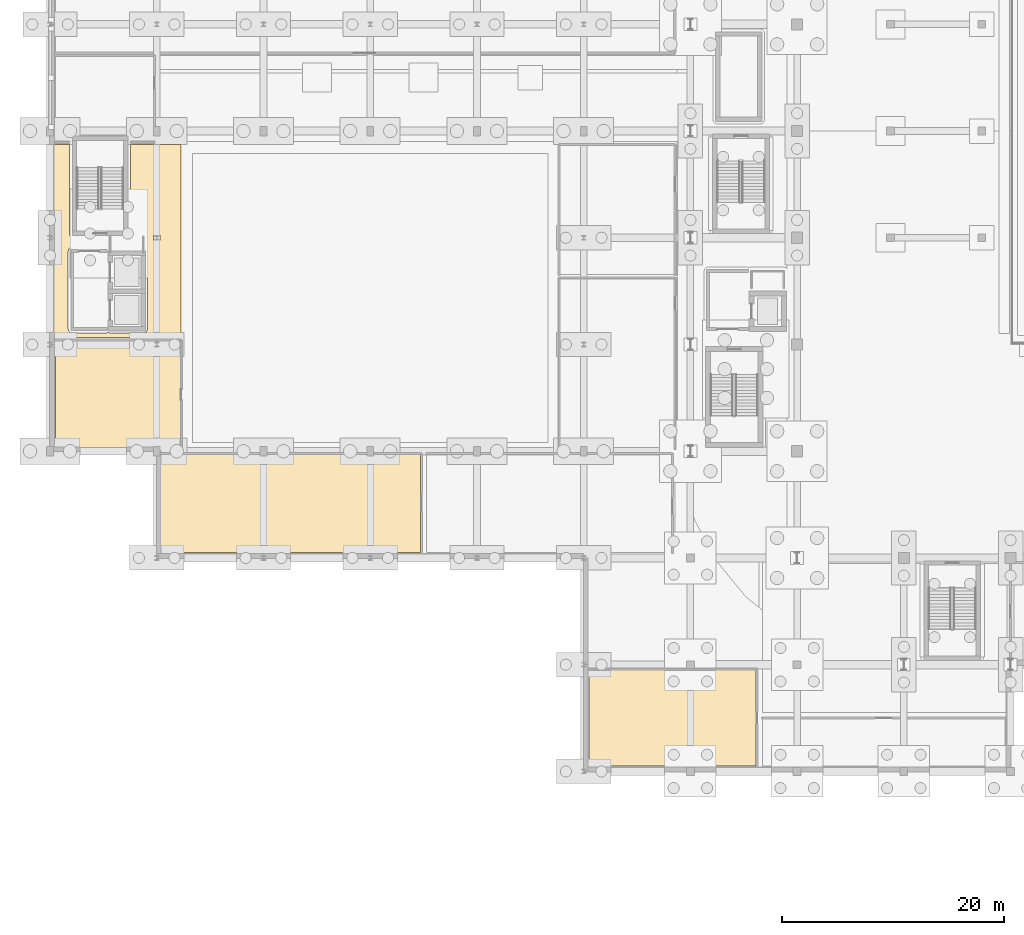
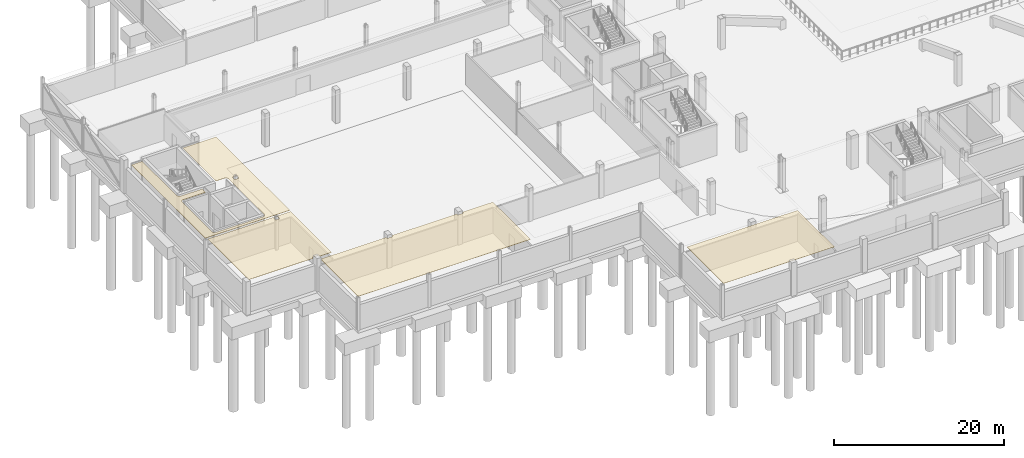
# One storey, part 39 of 67: 4 coverings.
"""IFC4 building model written with IfcOpenShell, lengths in metres."""

from ifc_helpers import new_model, si_unit, direction, frame, origin, place, context, subcontext, project, spatial, polyline, outline, extrude, material, layer, layer_set, type_object, element, save


model = new_model("IFC4")

# Units and contexts
model_context = context("Model", 3, precision=1e-05, world=origin(), true_north=direction((0.0, 1.0)))
body_context = subcontext(model_context, "Body", "Model", "MODEL_VIEW")
ifc_project = project(units=[si_unit("LENGTHUNIT", "METRE"), si_unit("AREAUNIT", "SQUARE_METRE"), si_unit("VOLUMEUNIT", "CUBIC_METRE"), si_unit("PLANEANGLEUNIT", "RADIAN"), si_unit("MASSUNIT", "GRAM", prefix="KILO")], contexts=[model_context])

# Site, building, storey
site_placement = place(None, origin())
site = spatial("IfcSite", under=ifc_project, at=site_placement, CompositionType="ELEMENT")
building_placement = place(site_placement, origin())
building = spatial("IfcBuilding", under=site, at=building_placement, Name="Caelomonte Colonnade Arena", CompositionType="ELEMENT")
storey_placement = place(building_placement, frame((0.0, 0.0, -4.800048828125)))
storey = spatial("IfcBuildingStorey", under=building, at=storey_placement, Name="B1", CompositionType="ELEMENT", Elevation=-4.800048828125)

# Coverings
ifc_material = material(Name="Perforated acoustic mineral-fibre ceiling")
ifc_layer = layer(ifc_material, 0.0400390625)
ifc_layer_set = layer_set([ifc_layer], Name="Perforated acoustic mineral-fibre ceiling")
covering_type = type_object("IfcCoveringType", Name="INT-CV-CEIL1", PredefinedType="CEILING", material=ifc_layer_set)
covering_1_placement = place(storey_placement, frame((0.0, 0.0, 4.420166015625)))
element("IfcCovering", 1, at=covering_1_placement, inside=storey, type_object=covering_type, Name="B1 Staff Restroom acoustic ceiling", PredefinedType="CEILING", context=body_context, shape_type="SweptSolid", body=[
    extrude(outline(polyline([(63.52001953125, 18.719970703125), (48.47998046875, 18.719970703125), (48.47998046875, 10.080078125), (63.52001953125, 10.080078125), (63.52001953125, 18.719970703125)])), origin(), (0.0, 0.0, 1.0), 0.039794921875),
])
covering_2_placement = place(storey_placement, frame((0.0, 0.0, 4.420166015625)))
element("IfcCovering", 2, at=covering_2_placement, inside=storey, type_object=covering_type, Name="B1 Home Locker Room acoustic ceiling", PredefinedType="CEILING", context=body_context, shape_type="SweptSolid", body=[
    extrude(outline(polyline([(9.9228515625, 37.88037109375), (9.9150390625, 37.8798828125), (9.89990234375, 37.8798828125), (9.89990234375, 29.280029296875), (33.320068359375, 29.280029296875), (33.320068359375, 38.1201171875), (29.195068359375, 38.1201171875), (29.195068359375, 37.9599609375), (29.194580078125, 37.9521484375), (29.193603515625, 37.9443359375), (29.191650390625, 37.936767578125), (29.18896484375, 37.929443359375), (29.185546875, 37.92236328125), (29.181396484375, 37.91552734375), (29.1767578125, 37.9091796875), (29.171630859375, 37.9033203125), (29.165771484375, 37.898193359375), (29.159423828125, 37.8935546875), (29.152587890625, 37.889404296875), (29.1455078125, 37.885986328125), (29.13818359375, 37.88330078125), (29.130615234375, 37.881591796875), (29.122802734375, 37.88037109375), (29.114990234375, 37.8798828125), (28.485107421875, 37.8798828125), (28.477294921875, 37.88037109375), (28.469482421875, 37.881591796875), (28.4619140625, 37.88330078125), (28.454345703125, 37.885986328125), (28.447265625, 37.889404296875), (28.440673828125, 37.8935546875), (28.43408203125, 37.898193359375), (28.428466796875, 37.9033203125), (28.423095703125, 37.9091796875), (28.41845703125, 37.91552734375), (28.414306640625, 37.92236328125), (28.4111328125, 37.929443359375), (28.408447265625, 37.936767578125), (28.406494140625, 37.9443359375), (28.405517578125, 37.9521484375), (28.405029296875, 37.9599609375), (28.405029296875, 38.1201171875), (19.594970703125, 38.1201171875), (19.594970703125, 37.9599609375), (19.594482421875, 37.9521484375), (19.593505859375, 37.9443359375), (19.591552734375, 37.936767578125), (19.5888671875, 37.929443359375), (19.585693359375, 37.92236328125), (19.58154296875, 37.91552734375), (19.576904296875, 37.9091796875), (19.571533203125, 37.9033203125), (19.56591796875, 37.898193359375), (19.559326171875, 37.8935546875), (19.552734375, 37.889404296875), (19.545654296875, 37.885986328125), (19.5380859375, 37.88330078125), (19.530517578125, 37.881591796875), (19.522705078125, 37.88037109375), (19.514892578125, 37.8798828125), (18.885009765625, 37.8798828125), (18.877197265625, 37.88037109375), (18.869384765625, 37.881591796875), (18.86181640625, 37.88330078125), (18.8544921875, 37.885986328125), (18.847412109375, 37.889404296875), (18.840576171875, 37.8935546875), (18.834228515625, 37.898193359375), (18.828369140625, 37.9033203125), (18.8232421875, 37.9091796875), (18.818603515625, 37.91552734375), (18.814453125, 37.92236328125), (18.81103515625, 37.929443359375), (18.808349609375, 37.936767578125), (18.806396484375, 37.9443359375), (18.805419921875, 37.9521484375), (18.804931640625, 37.9599609375), (18.804931640625, 38.1201171875), (9.9951171875, 38.1201171875), (9.9951171875, 37.9599609375), (9.99462890625, 37.9521484375), (9.993408203125, 37.9443359375), (9.99169921875, 37.936767578125), (9.989013671875, 37.929443359375), (9.985595703125, 37.92236328125), (9.9814453125, 37.91552734375), (9.976806640625, 37.9091796875), (9.9716796875, 37.9033203125), (9.9658203125, 37.898193359375), (9.95947265625, 37.8935546875), (9.95263671875, 37.889404296875), (9.945556640625, 37.885986328125), (9.938232421875, 37.88330078125), (9.9306640625, 37.881591796875), (9.9228515625, 37.88037109375)])), origin(), (0.0, 0.0, 1.0), 0.039794921875),
])
covering_3_placement = place(storey_placement, frame((0.0, 0.0, 4.420166015625)))
element("IfcCovering", 3, at=covering_3_placement, inside=storey, type_object=covering_type, Name="B1 Athlete Shower and Restroom acoustic ceiling", PredefinedType="CEILING", context=body_context, shape_type="SweptSolid", body=[
    extrude(outline(polyline([(9.277099609375, 38.919677734375), (9.284912109375, 38.919921875), (9.9150390625, 38.919921875), (9.9228515625, 38.919677734375), (9.9306640625, 38.91845703125), (9.938232421875, 38.91650390625), (9.945556640625, 38.913818359375), (9.95263671875, 38.91064453125), (9.95947265625, 38.906494140625), (9.9658203125, 38.90185546875), (9.9716796875, 38.896484375), (9.976806640625, 38.890869140625), (9.9814453125, 38.884521484375), (9.985595703125, 38.877685546875), (9.989013671875, 38.87060546875), (9.99169921875, 38.86328125), (9.993408203125, 38.855712890625), (9.99462890625, 38.847900390625), (9.9951171875, 38.840087890625), (9.9951171875, 38.679931640625), (11.719970703125, 38.679931640625), (11.719970703125, 48.320068359375), (0.47998046875, 48.320068359375), (0.47998046875, 38.699951171875), (9.205078125, 38.699951171875), (9.205078125, 38.840087890625), (9.205322265625, 38.847900390625), (9.20654296875, 38.855712890625), (9.20849609375, 38.86328125), (9.211181640625, 38.87060546875), (9.21435546875, 38.877685546875), (9.218505859375, 38.884521484375), (9.22314453125, 38.890869140625), (9.228515625, 38.896484375), (9.234130859375, 38.90185546875), (9.240478515625, 38.906494140625), (9.247314453125, 38.91064453125), (9.25439453125, 38.913818359375), (9.26171875, 38.91650390625), (9.269287109375, 38.91845703125), (9.277099609375, 38.919677734375)]), holes=[polyline([(9.809814453125, 47.71923828125), (9.802001953125, 47.71875), (9.39794921875, 47.71875), (9.39013671875, 47.71923828125), (9.38232421875, 47.72021484375), (9.374755859375, 47.72216796875), (9.367431640625, 47.724853515625), (9.3603515625, 47.728271484375), (9.353515625, 47.732421875), (9.34716796875, 47.737060546875), (9.34130859375, 47.7421875), (9.336181640625, 47.748046875), (9.33154296875, 47.75439453125), (9.327392578125, 47.760986328125), (9.32421875, 47.768310546875), (9.3212890625, 47.775634765625), (9.319580078125, 47.783203125), (9.318359375, 47.791015625), (9.318115234375, 47.798828125), (9.318115234375, 48.201171875), (9.318359375, 48.208984375), (9.319580078125, 48.216796875), (9.3212890625, 48.224365234375), (9.32421875, 48.231689453125), (9.327392578125, 48.239013671875), (9.33154296875, 48.24560546875), (9.336181640625, 48.251953125), (9.34130859375, 48.2578125), (9.34716796875, 48.262939453125), (9.353515625, 48.267578125), (9.3603515625, 48.271728515625), (9.367431640625, 48.275146484375), (9.374755859375, 48.27783203125), (9.38232421875, 48.27978515625), (9.39013671875, 48.28076171875), (9.39794921875, 48.28125), (9.802001953125, 48.28125), (9.809814453125, 48.28076171875), (9.817626953125, 48.27978515625), (9.8251953125, 48.27783203125), (9.83251953125, 48.275146484375), (9.839599609375, 48.271728515625), (9.846435546875, 48.267578125), (9.852783203125, 48.262939453125), (9.858642578125, 48.2578125), (9.86376953125, 48.251953125), (9.868408203125, 48.24560546875), (9.87255859375, 48.239013671875), (9.8759765625, 48.231689453125), (9.878662109375, 48.224365234375), (9.880615234375, 48.216796875), (9.881591796875, 48.208984375), (9.882080078125, 48.201171875), (9.882080078125, 47.798828125), (9.881591796875, 47.791015625), (9.880615234375, 47.783203125), (9.878662109375, 47.775634765625), (9.8759765625, 47.768310546875), (9.87255859375, 47.760986328125), (9.868408203125, 47.75439453125), (9.86376953125, 47.748046875), (9.858642578125, 47.7421875), (9.852783203125, 47.737060546875), (9.846435546875, 47.732421875), (9.839599609375, 47.728271484375), (9.83251953125, 47.724853515625), (9.8251953125, 47.72216796875), (9.817626953125, 47.72021484375), (9.809814453125, 47.71923828125)])]), origin(), (0.0, 0.0, 1.0), 0.039794921875),
])
covering_4_placement = place(storey_placement, frame((0.0, 0.0, 4.420166015625)))
element("IfcCovering", 4, at=covering_4_placement, inside=storey, type_object=covering_type, Name="B1 B1 Concourse Gallery acoustic ceiling", PredefinedType="CEILING", context=body_context, shape_type="SweptSolid", body=[
    extrude(outline(polyline([(0.300048828125, 66.004150390625), (0.300048828125, 48.595947265625), (0.30078125, 48.59619140625), (0.311279296875, 48.601318359375), (0.31494140625, 48.602783203125), (0.316650390625, 48.603515625), (0.3203125, 48.60498046875), (0.33154296875, 48.60888671875), (0.335205078125, 48.610107421875), (0.337158203125, 48.61083984375), (0.3408203125, 48.61181640625), (0.352294921875, 48.61474609375), (0.356201171875, 48.615478515625), (0.35791015625, 48.615966796875), (0.36181640625, 48.61669921875), (0.37353515625, 48.618408203125), (0.37744140625, 48.618896484375), (0.37939453125, 48.618896484375), (0.38330078125, 48.619384765625), (0.39501953125, 48.619873046875), (0.397216796875, 48.6201171875), (0.39794921875, 48.6201171875), (0.39990234375, 48.6201171875), (11.780029296875, 48.6201171875), (11.780029296875, 65.97998046875), (9.60009765625, 65.97998046875), (9.597900390625, 65.97998046875), (9.59716796875, 65.97998046875), (9.59521484375, 65.97998046875), (9.583251953125, 65.980712890625), (9.579345703125, 65.98095703125), (9.577392578125, 65.981201171875), (9.573486328125, 65.981689453125), (9.56201171875, 65.9833984375), (9.55810546875, 65.984130859375), (9.55615234375, 65.984375), (9.55224609375, 65.9853515625), (9.541015625, 65.98828125), (9.537109375, 65.9892578125), (9.53515625, 65.98974609375), (9.531494140625, 65.990966796875), (9.5205078125, 65.9951171875), (9.5166015625, 65.996337890625), (9.514892578125, 65.9970703125), (9.51123046875, 65.998779296875), (9.500732421875, 66.00390625), (9.5, 66.004150390625), (9.499267578125, 66.00390625), (9.48876953125, 65.998779296875), (9.485107421875, 65.9970703125), (9.4833984375, 65.996337890625), (9.4794921875, 65.9951171875), (9.468505859375, 65.990966796875), (9.46484375, 65.98974609375), (9.462890625, 65.9892578125), (9.458984375, 65.98828125), (9.44775390625, 65.9853515625), (9.44384765625, 65.984375), (9.44189453125, 65.984130859375), (9.43798828125, 65.9833984375), (9.426513671875, 65.981689453125), (9.422607421875, 65.981201171875), (9.420654296875, 65.98095703125), (9.416748046875, 65.980712890625), (9.40478515625, 65.97998046875), (9.40283203125, 65.97998046875), (9.402099609375, 65.97998046875), (9.39990234375, 65.97998046875), (7.25, 65.97998046875), (7.25, 58.159912109375), (8.39990234375, 58.159912109375), (8.40380859375, 58.159912109375), (8.431396484375, 58.15869140625), (8.439208984375, 58.15771484375), (8.46630859375, 58.15380859375), (8.47412109375, 58.152099609375), (8.500732421875, 58.1455078125), (8.50830078125, 58.143310546875), (8.5341796875, 58.134033203125), (8.54150390625, 58.131103515625), (8.566162109375, 58.119384765625), (8.572998046875, 58.115478515625), (8.5966796875, 58.101318359375), (8.603271484375, 58.09716796875), (8.625244140625, 58.080810546875), (8.63134765625, 58.07568359375), (8.651611328125, 58.057373046875), (8.6572265625, 58.0517578125), (8.67578125, 58.031494140625), (8.6806640625, 58.025390625), (8.697021484375, 58.003173828125), (8.701416015625, 57.99658203125), (8.715576171875, 57.97314453125), (8.71923828125, 57.96630859375), (8.73095703125, 57.94140625), (8.73388671875, 57.93408203125), (8.743408203125, 57.908203125), (8.74560546875, 57.900634765625), (8.752197265625, 57.8740234375), (8.75390625, 57.866455078125), (8.7578125, 57.839111328125), (8.758544921875, 57.831298828125), (8.760009765625, 57.803955078125), (8.760009765625, 57.800048828125), (8.760009765625, 49.39990234375), (8.760009765625, 49.39599609375), (8.758544921875, 49.36865234375), (8.7578125, 49.36083984375), (8.75390625, 49.33349609375), (8.752197265625, 49.325927734375), (8.74560546875, 49.29931640625), (8.743408203125, 49.291748046875), (8.73388671875, 49.265869140625), (8.73095703125, 49.258544921875), (8.71923828125, 49.23388671875), (8.715576171875, 49.226806640625), (8.701416015625, 49.203369140625), (8.697021484375, 49.19677734375), (8.6806640625, 49.1748046875), (8.67578125, 49.168701171875), (8.6572265625, 49.148193359375), (8.651611328125, 49.142578125), (8.63134765625, 49.124267578125), (8.625244140625, 49.119384765625), (8.603271484375, 49.102783203125), (8.5966796875, 49.0986328125), (8.572998046875, 49.08447265625), (8.566162109375, 49.080810546875), (8.54150390625, 49.069091796875), (8.5341796875, 49.06591796875), (8.50830078125, 49.056640625), (8.500732421875, 49.054443359375), (8.47412109375, 49.0478515625), (8.46630859375, 49.046142578125), (8.439208984375, 49.042236328125), (8.431396484375, 49.04150390625), (8.40380859375, 49.0400390625), (8.39990234375, 49.0400390625), (5.39990234375, 49.0400390625), (5.39599609375, 49.0400390625), (5.36865234375, 49.04150390625), (5.36083984375, 49.042236328125), (5.33349609375, 49.046142578125), (5.325927734375, 49.0478515625), (5.29931640625, 49.054443359375), (5.291748046875, 49.056640625), (5.265869140625, 49.06591796875), (5.258544921875, 49.069091796875), (5.23388671875, 49.080810546875), (5.226806640625, 49.08447265625), (5.203369140625, 49.0986328125), (5.199951171875, 49.100830078125), (5.19677734375, 49.0986328125), (5.173095703125, 49.08447265625), (5.166259765625, 49.080810546875), (5.141357421875, 49.069091796875), (5.134033203125, 49.06591796875), (5.108154296875, 49.056640625), (5.1005859375, 49.054443359375), (5.07421875, 49.0478515625), (5.06640625, 49.046142578125), (5.039306640625, 49.042236328125), (5.031494140625, 49.04150390625), (5.00390625, 49.0400390625), (5.0, 49.0400390625), (2.0, 49.0400390625), (1.99609375, 49.0400390625), (1.968505859375, 49.04150390625), (1.960693359375, 49.042236328125), (1.93359375, 49.046142578125), (1.92578125, 49.0478515625), (1.8994140625, 49.054443359375), (1.891845703125, 49.056640625), (1.865966796875, 49.06591796875), (1.858642578125, 49.069091796875), (1.833740234375, 49.080810546875), (1.826904296875, 49.08447265625), (1.80322265625, 49.0986328125), (1.796875, 49.102783203125), (1.774658203125, 49.119384765625), (1.7685546875, 49.124267578125), (1.748291015625, 49.142578125), (1.74267578125, 49.148193359375), (1.724365234375, 49.168701171875), (1.71923828125, 49.1748046875), (1.702880859375, 49.19677734375), (1.698486328125, 49.203369140625), (1.684326171875, 49.226806640625), (1.6806640625, 49.23388671875), (1.6689453125, 49.258544921875), (1.666015625, 49.265869140625), (1.65673828125, 49.291748046875), (1.654541015625, 49.29931640625), (1.647705078125, 49.325927734375), (1.646240234375, 49.33349609375), (1.64208984375, 49.36083984375), (1.641357421875, 49.36865234375), (1.64013671875, 49.39599609375), (1.639892578125, 49.39990234375), (1.639892578125, 56.39990234375), (1.64013671875, 56.40380859375), (1.641357421875, 56.431396484375), (1.64208984375, 56.439208984375), (1.646240234375, 56.46630859375), (1.647705078125, 56.47412109375), (1.654541015625, 56.500732421875), (1.65673828125, 56.50830078125), (1.666015625, 56.5341796875), (1.6689453125, 56.54150390625), (1.6806640625, 56.566162109375), (1.684326171875, 56.572998046875), (1.698486328125, 56.5966796875), (1.702880859375, 56.603271484375), (1.71923828125, 56.625244140625), (1.724365234375, 56.63134765625), (1.74267578125, 56.651611328125), (1.748291015625, 56.6572265625), (1.7685546875, 56.67578125), (1.774658203125, 56.6806640625), (1.796875, 56.697021484375), (1.80322265625, 56.701416015625), (1.826904296875, 56.715576171875), (1.833740234375, 56.71923828125), (1.858642578125, 56.73095703125), (1.865966796875, 56.73388671875), (1.891845703125, 56.743408203125), (1.8994140625, 56.74560546875), (1.92578125, 56.752197265625), (1.93359375, 56.75390625), (1.960693359375, 56.7578125), (1.968505859375, 56.758544921875), (1.99609375, 56.760009765625), (2.0, 56.760009765625), (5.0, 56.760009765625), (5.00390625, 56.760009765625), (5.031494140625, 56.758544921875), (5.039306640625, 56.7578125), (5.0400390625, 56.7578125), (5.0400390625, 57.550048828125), (2.199951171875, 57.550048828125), (2.156005859375, 57.55224609375), (2.1123046875, 57.55859375), (2.0693359375, 57.5693359375), (2.02783203125, 57.584228515625), (1.98779296875, 57.60302734375), (1.949951171875, 57.625732421875), (1.91455078125, 57.652099609375), (1.8818359375, 57.681884765625), (1.85205078125, 57.714599609375), (1.82568359375, 57.75), (1.802978515625, 57.787841796875), (1.7841796875, 57.827880859375), (1.769287109375, 57.869384765625), (1.758544921875, 57.912109375), (1.752197265625, 57.955810546875), (1.75, 58.0), (1.75, 65.97998046875), (0.39990234375, 65.97998046875), (0.39794921875, 65.97998046875), (0.397216796875, 65.97998046875), (0.39501953125, 65.97998046875), (0.38330078125, 65.980712890625), (0.37939453125, 65.98095703125), (0.37744140625, 65.981201171875), (0.37353515625, 65.981689453125), (0.36181640625, 65.9833984375), (0.35791015625, 65.984130859375), (0.356201171875, 65.984375), (0.352294921875, 65.9853515625), (0.3408203125, 65.98828125), (0.337158203125, 65.9892578125), (0.335205078125, 65.98974609375), (0.33154296875, 65.990966796875), (0.3203125, 65.9951171875), (0.316650390625, 65.996337890625), (0.31494140625, 65.9970703125), (0.311279296875, 65.998779296875), (0.30078125, 66.00390625), (0.300048828125, 66.004150390625)]), holes=[polyline([(9.39013671875, 57.880859375), (9.39794921875, 57.881103515625), (9.802001953125, 57.881103515625), (9.809814453125, 57.880859375), (9.817626953125, 57.879638671875), (9.8251953125, 57.877685546875), (9.83251953125, 57.875), (9.839599609375, 57.871826171875), (9.846435546875, 57.86767578125), (9.852783203125, 57.863037109375), (9.858642578125, 57.85791015625), (9.86376953125, 57.85205078125), (9.868408203125, 57.845703125), (9.87255859375, 57.8388671875), (9.8759765625, 57.831787109375), (9.878662109375, 57.824462890625), (9.880615234375, 57.81689453125), (9.881591796875, 57.80908203125), (9.882080078125, 57.80126953125), (9.882080078125, 57.398681640625), (9.881591796875, 57.39111328125), (9.880615234375, 57.38330078125), (9.878662109375, 57.37548828125), (9.8759765625, 57.3681640625), (9.87255859375, 57.361083984375), (9.868408203125, 57.3544921875), (9.86376953125, 57.347900390625), (9.858642578125, 57.34228515625), (9.852783203125, 57.3369140625), (9.846435546875, 57.332275390625), (9.839599609375, 57.328125), (9.83251953125, 57.324951171875), (9.8251953125, 57.322265625), (9.817626953125, 57.3203125), (9.809814453125, 57.319091796875), (9.802001953125, 57.31884765625), (9.39794921875, 57.31884765625), (9.39013671875, 57.319091796875), (9.38232421875, 57.3203125), (9.374755859375, 57.322265625), (9.367431640625, 57.324951171875), (9.3603515625, 57.328125), (9.353515625, 57.332275390625), (9.34716796875, 57.3369140625), (9.34130859375, 57.34228515625), (9.336181640625, 57.347900390625), (9.33154296875, 57.3544921875), (9.327392578125, 57.361083984375), (9.32421875, 57.3681640625), (9.3212890625, 57.37548828125), (9.319580078125, 57.38330078125), (9.318359375, 57.39111328125), (9.318115234375, 57.398681640625), (9.318115234375, 57.80126953125), (9.318359375, 57.80908203125), (9.319580078125, 57.81689453125), (9.3212890625, 57.824462890625), (9.32421875, 57.831787109375), (9.327392578125, 57.8388671875), (9.33154296875, 57.845703125), (9.336181640625, 57.85205078125), (9.34130859375, 57.85791015625), (9.34716796875, 57.863037109375), (9.353515625, 57.86767578125), (9.3603515625, 57.871826171875), (9.367431640625, 57.875), (9.374755859375, 57.877685546875), (9.38232421875, 57.879638671875), (9.39013671875, 57.880859375)])]), origin(), (0.0, 0.0, 1.0), 0.039794921875),
])

save(model, "model.ifc")
